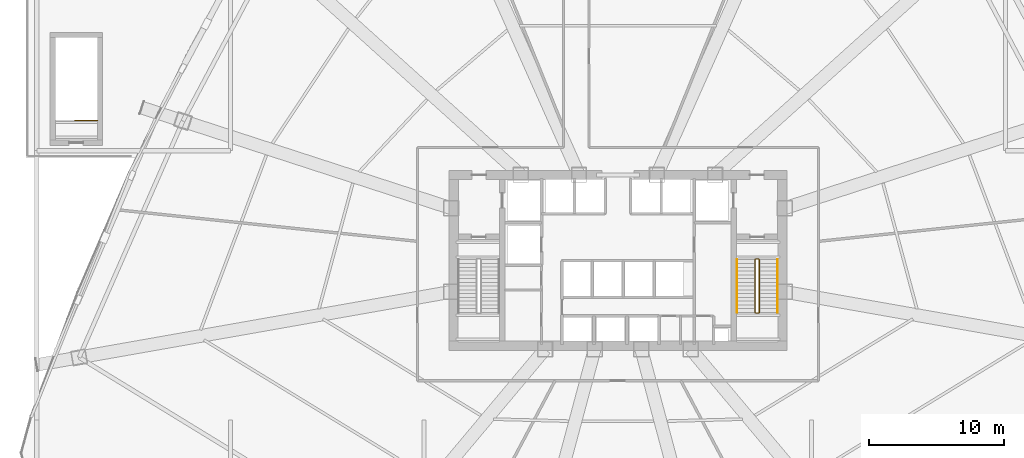
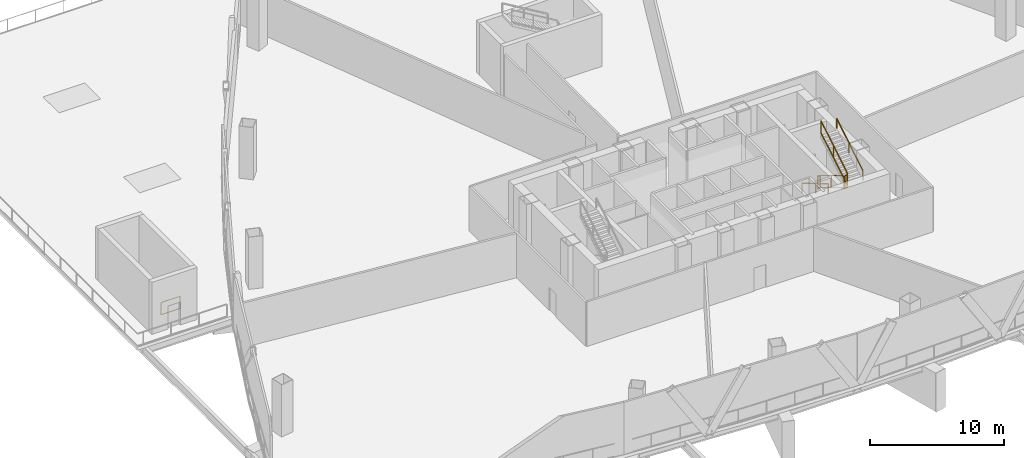
# One storey, part 15 of 18: 7 railings.
"""IFC4 building model written with IfcOpenShell, lengths in metres."""

from ifc_helpers import new_model, si_unit, direction, frame, origin, origin_2d, place, context, subcontext, project, spatial, rectangle, extrude, material, type_object, element, save


model = new_model("IFC4")

# Units and contexts
model_context = context("Model", 3, precision=1e-05, world=origin(), true_north=direction((0.0, 1.0)))
body_context = subcontext(model_context, "Body", "Model", "MODEL_VIEW")
ifc_project = project(units=[si_unit("LENGTHUNIT", "METRE"), si_unit("AREAUNIT", "SQUARE_METRE"), si_unit("VOLUMEUNIT", "CUBIC_METRE"), si_unit("PLANEANGLEUNIT", "RADIAN"), si_unit("MASSUNIT", "GRAM", prefix="KILO"), si_unit("THERMODYNAMICTEMPERATUREUNIT", "KELVIN"), si_unit("POWERUNIT", "WATT")], contexts=[model_context])

# Site, building, storey
site_placement = place(None, origin())
site = spatial("IfcSite", under=ifc_project, at=site_placement, CompositionType="ELEMENT")
building_placement = place(site_placement, origin())
building = spatial("IfcBuilding", under=site, at=building_placement, Name="Yunzhuo Pagoda Commons", CompositionType="ELEMENT")
storey_placement = place(building_placement, frame((0.0, 0.0, 25.39990234375)))
storey = spatial("IfcBuildingStorey", under=building, at=storey_placement, Name="L06", CompositionType="ELEMENT", Elevation=25.39990234375)

# Railings
ifc_material = material(Name="Anodized aluminium 6063-T6", Category="aluminium")
railing_type_1 = type_object("IfcRailingType", Name="GR-PS3 Podium Well Guardrail 1150", PredefinedType="GUARDRAIL", material=ifc_material)
railing_1_placement = place(storey_placement, frame((9.300048828125, 44.25, 0.0)))
element("IfcRailing", 1, at=railing_1_placement, inside=storey, type_object=railing_type_1, Name="L06 PS3 top well guard 1", PredefinedType="GUARDRAIL", context=body_context, shape_type="SweptSolid", body=[
    extrude(rectangle(XDim=0.048095703125, YDim=0.048095703125, at=origin_2d()), frame((0.0, 0.0, 1.1259765625), z_axis=(-1.0, 0.0, 0.0), x_axis=(0.0, -1.0, 0.0)), (0.0, 0.0, 1.0), 1.650146484375),
    extrude(rectangle(XDim=0.048095703125, YDim=0.048095703125, at=origin_2d()), frame((0.0, 0.0, 0.02392578125), z_axis=(-1.0, 0.0, 0.0), x_axis=(0.0, -1.0, 0.0)), (0.0, 0.0, 1.0), 1.650146484375),
    extrude(rectangle(XDim=0.0419921875, YDim=0.0419921875, at=origin_2d()), origin(), (0.0, 0.0, 1.0), 1.101806640625),
    extrude(rectangle(XDim=0.0419921875, YDim=0.0419921875, at=origin_2d()), frame((-1.650146484375, 0.0, 0.0)), (0.0, 0.0, 1.0), 1.101806640625),
])
railing_type_2 = type_object("IfcRailingType", Name="GR-ST2 Stair Well Guardrail 1160", PredefinedType="GUARDRAIL", material=ifc_material)
railing_2_placement = place(storey_placement, frame((58.199951171875, 33.89990234375, 0.166748046875)))
element("IfcRailing", 2, at=railing_2_placement, inside=storey, type_object=railing_type_2, Name="L06 ST2 stair guard 1", PredefinedType="GUARDRAIL", context=body_context, shape_type="SweptSolid", body=[
    extrude(rectangle(XDim=0.048095703125, YDim=0.048095703125, at=origin_2d()), frame((0.0, 0.0, 1.1259765625), z_axis=(0.0, -0.859296244711, 0.511478214419), x_axis=(1.0, 0.0, 0.0)), (0.0, 0.0, 1.0), 4.561767578125),
    extrude(rectangle(XDim=0.048095703125, YDim=0.048095703125, at=origin_2d()), frame((0.0, 0.0, 0.02392578125), z_axis=(0.0, -0.859296244711, 0.511478214419), x_axis=(1.0, 0.0, 0.0)), (0.0, 0.0, 1.0), 4.561767578125),
    extrude(rectangle(XDim=0.0419921875, YDim=0.0419921875, at=origin_2d()), origin(), (0.0, 0.0, 1.0), 1.101806640625),
    extrude(rectangle(XDim=0.0419921875, YDim=0.0419921875, at=origin_2d()), frame((0.0, -2.062255859375, 1.2275390625)), (0.0, 0.0, 1.0), 1.101806640625),
    extrude(rectangle(XDim=0.0419921875, YDim=0.0419921875, at=origin_2d()), frame((0.0, -3.919921875, 2.333251953125)), (0.0, 0.0, 1.0), 1.101806640625),
])
railing_3_placement = place(storey_placement, frame((58.25, 29.929931640625, 2.5)))
element("IfcRailing", 3, at=railing_3_placement, inside=storey, type_object=railing_type_2, Name="L06 ST2 stair guard 2", PredefinedType="GUARDRAIL", context=body_context, shape_type="SweptSolid", body=[
    extrude(rectangle(XDim=0.048095703125, YDim=0.048095703125, at=origin_2d()), frame((0.0, 0.0, 1.1259765625), z_axis=(1.0, 0.0, 0.0), x_axis=(0.0, 1.0, 0.0)), (0.0, 0.0, 1.0), 0.199951171875),
    extrude(rectangle(XDim=0.048095703125, YDim=0.048095703125, at=origin_2d()), frame((0.0, 0.0, 0.02392578125), z_axis=(1.0, 0.0, 0.0), x_axis=(0.0, 1.0, 0.0)), (0.0, 0.0, 1.0), 0.199951171875),
    extrude(rectangle(XDim=0.0419921875, YDim=0.0419921875, at=origin_2d()), origin(), (0.0, 0.0, 1.0), 1.101806640625),
    extrude(rectangle(XDim=0.0419921875, YDim=0.0419921875, at=origin_2d()), frame((0.199951171875, 0.0, 0.0)), (0.0, 0.0, 1.0), 1.101806640625),
])
railing_4_placement = place(storey_placement, frame((58.5, 29.97998046875, 2.666748046875)))
element("IfcRailing", 4, at=railing_4_placement, inside=storey, type_object=railing_type_2, Name="L06 ST2 stair guard 3", PredefinedType="GUARDRAIL", context=body_context, shape_type="SweptSolid", body=[
    extrude(rectangle(XDim=0.048095703125, YDim=0.048095703125, at=origin_2d()), frame((0.0, 0.0, 1.1259765625), z_axis=(0.0, 0.859296244711, 0.511478214419), x_axis=(-1.0, 0.0, 0.0)), (0.0, 0.0, 1.0), 4.561767578125),
    extrude(rectangle(XDim=0.048095703125, YDim=0.048095703125, at=origin_2d()), frame((0.0, 0.0, 0.02392578125), z_axis=(0.0, 0.859296244711, 0.511478214419), x_axis=(-1.0, 0.0, 0.0)), (0.0, 0.0, 1.0), 4.561767578125),
    extrude(rectangle(XDim=0.0419921875, YDim=0.0419921875, at=origin_2d()), origin(), (0.0, 0.0, 1.0), 1.101806640625),
    extrude(rectangle(XDim=0.0419921875, YDim=0.0419921875, at=origin_2d()), frame((0.0, 2.062255859375, 1.2275390625)), (0.0, 0.0, 1.0), 1.101806640625),
    extrude(rectangle(XDim=0.0419921875, YDim=0.0419921875, at=origin_2d()), frame((0.0, 3.919921875, 2.333251953125)), (0.0, 0.0, 1.0), 1.101806640625),
])
railing_5_placement = place(storey_placement, frame((58.25, 33.949951171875, 0.0)))
element("IfcRailing", 5, at=railing_5_placement, inside=storey, type_object=railing_type_2, Name="L06 ST2 stair guard 4", PredefinedType="GUARDRAIL", context=body_context, shape_type="SweptSolid", body=[
    extrude(rectangle(XDim=0.048095703125, YDim=0.048095703125, at=origin_2d()), frame((0.0, 0.0, 1.1259765625), z_axis=(1.0, 0.0, 0.0), x_axis=(0.0, 1.0, 0.0)), (0.0, 0.0, 1.0), 0.199951171875),
    extrude(rectangle(XDim=0.048095703125, YDim=0.048095703125, at=origin_2d()), frame((0.0, 0.0, 0.02392578125), z_axis=(1.0, 0.0, 0.0), x_axis=(0.0, 1.0, 0.0)), (0.0, 0.0, 1.0), 0.199951171875),
    extrude(rectangle(XDim=0.0419921875, YDim=0.0419921875, at=origin_2d()), origin(), (0.0, 0.0, 1.0), 1.101806640625),
    extrude(rectangle(XDim=0.0419921875, YDim=0.0419921875, at=origin_2d()), frame((0.199951171875, 0.0, 0.0)), (0.0, 0.0, 1.0), 1.101806640625),
])
railing_type_3 = type_object("IfcRailingType", Name="HR-ST2 Stair Handrail 900", PredefinedType="HANDRAIL", material=ifc_material)
railing_6_placement = place(storey_placement, frame((56.85009765625, 33.89990234375, 0.166748046875)))
element("IfcRailing", 6, at=railing_6_placement, inside=storey, type_object=railing_type_3, Name="L06 ST2 stair handrail 1", PredefinedType="HANDRAIL", context=body_context, shape_type="SweptSolid", body=[
    extrude(rectangle(XDim=0.048095703125, YDim=0.048095703125, at=origin_2d()), frame((0.0, 0.0, 0.8759765625), z_axis=(0.0, -0.859296244711, 0.511478214419), x_axis=(1.0, 0.0, 0.0)), (0.0, 0.0, 1.0), 4.561767578125),
    extrude(rectangle(XDim=0.0419921875, YDim=0.0419921875, at=origin_2d()), origin(), (0.0, 0.0, 1.0), 0.851806640625),
    extrude(rectangle(XDim=0.0419921875, YDim=0.0419921875, at=origin_2d()), frame((0.0, -2.062255859375, 1.2275390625)), (0.0, 0.0, 1.0), 0.851806640625),
    extrude(rectangle(XDim=0.0419921875, YDim=0.0419921875, at=origin_2d()), frame((0.0, -3.919921875, 2.333251953125)), (0.0, 0.0, 1.0), 0.851806640625),
])
railing_7_placement = place(storey_placement, frame((59.85009765625, 29.97998046875, 2.666748046875)))
element("IfcRailing", 7, at=railing_7_placement, inside=storey, type_object=railing_type_3, Name="L06 ST2 stair handrail 2", PredefinedType="HANDRAIL", context=body_context, shape_type="SweptSolid", body=[
    extrude(rectangle(XDim=0.048095703125, YDim=0.048095703125, at=origin_2d()), frame((0.0, 0.0, 0.8759765625), z_axis=(0.0, 0.859296244711, 0.511478214419), x_axis=(-1.0, 0.0, 0.0)), (0.0, 0.0, 1.0), 4.561767578125),
    extrude(rectangle(XDim=0.0419921875, YDim=0.0419921875, at=origin_2d()), origin(), (0.0, 0.0, 1.0), 0.851806640625),
    extrude(rectangle(XDim=0.0419921875, YDim=0.0419921875, at=origin_2d()), frame((0.0, 2.062255859375, 1.2275390625)), (0.0, 0.0, 1.0), 0.851806640625),
    extrude(rectangle(XDim=0.0419921875, YDim=0.0419921875, at=origin_2d()), frame((0.0, 3.919921875, 2.333251953125)), (0.0, 0.0, 1.0), 0.851806640625),
])

save(model, "model.ifc")
